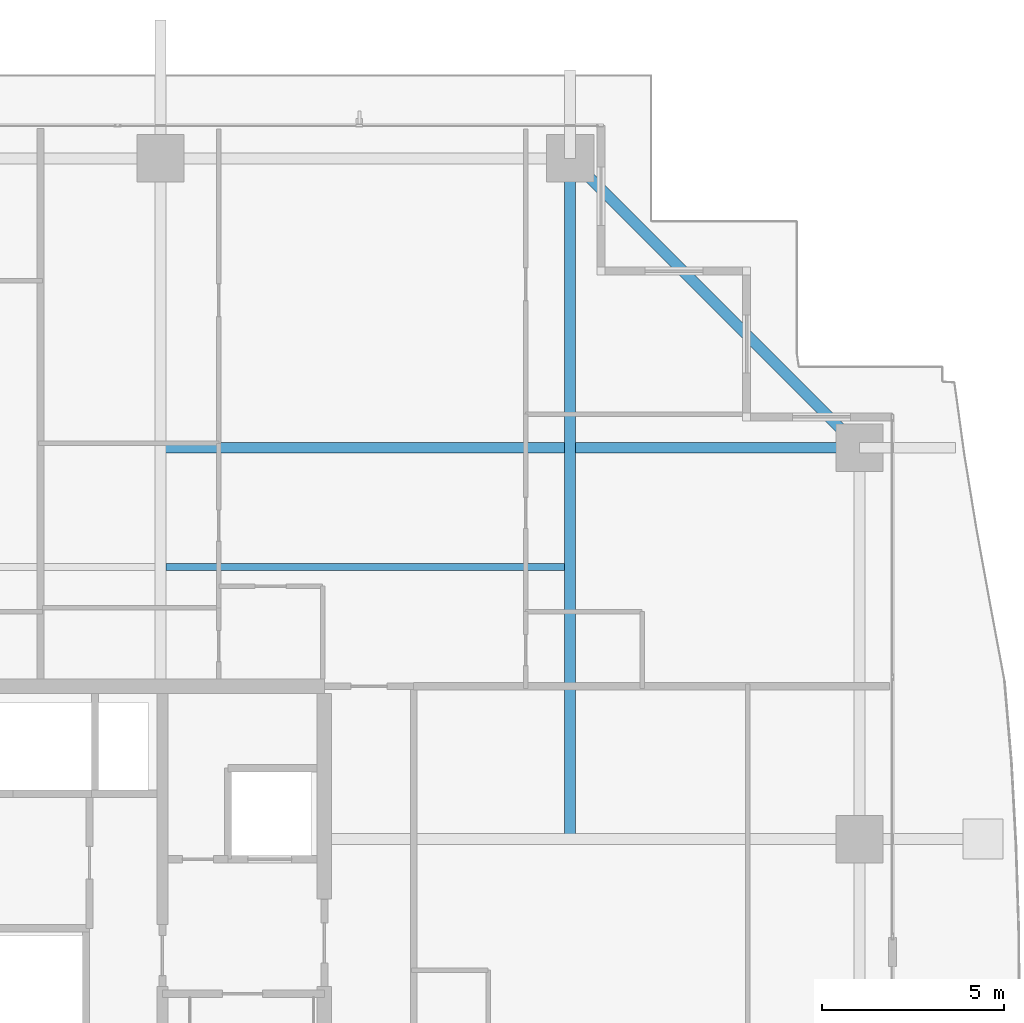
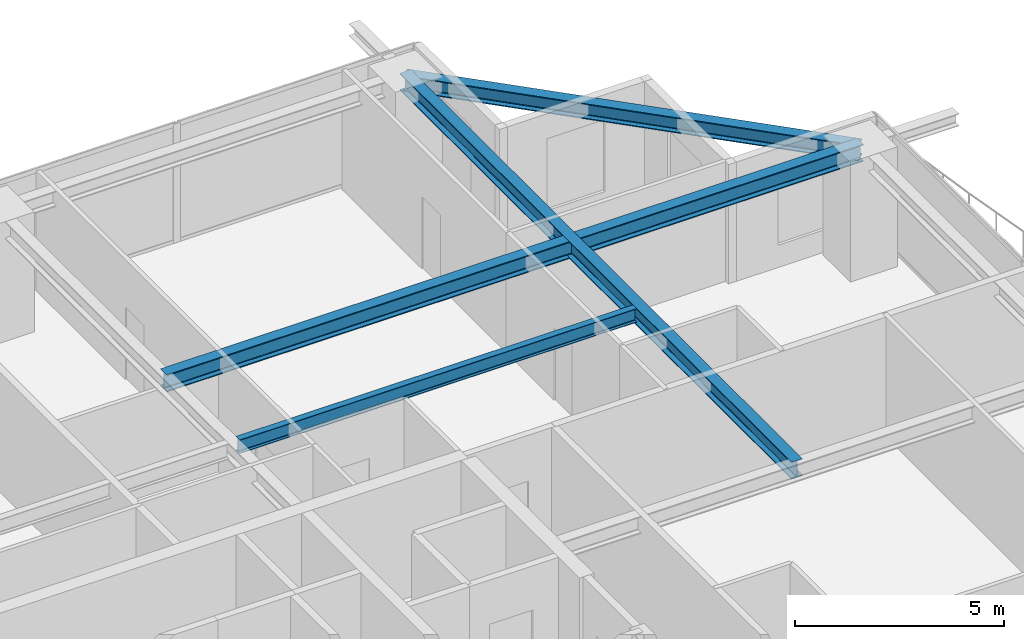
# One storey, part 22 of 36: 4 beams.
"""IFC4 building model written with IfcOpenShell, lengths in metres."""

from ifc_helpers import new_model, si_unit, direction, frame, origin, origin_2d, place, context, subcontext, project, spatial, i_section, extrude, source, transform, mapped, material, material_profile, profile_set, type_object, element, save


model = new_model("IFC4")

# Units and contexts
model_context = context("Model", 3, precision=1e-05, world=origin(), true_north=direction((0.0, 1.0)))
body_context = subcontext(model_context, "Body", "Model", "MODEL_VIEW")
ifc_project = project(units=[si_unit("LENGTHUNIT", "METRE"), si_unit("AREAUNIT", "SQUARE_METRE"), si_unit("VOLUMEUNIT", "CUBIC_METRE"), si_unit("PLANEANGLEUNIT", "RADIAN"), si_unit("MASSUNIT", "GRAM", prefix="KILO")], contexts=[model_context])

# Site, building, storey
site_placement = place(None, origin())
site = spatial("IfcSite", under=ifc_project, at=site_placement, CompositionType="ELEMENT")
building_placement = place(site_placement, origin())
building = spatial("IfcBuilding", under=site, at=building_placement, Name="Serunith Strait Residences", CompositionType="ELEMENT")
storey_placement = place(building_placement, frame((0.0, 0.0, 146.39990234375)))
storey = spatial("IfcBuildingStorey", under=building, at=storey_placement, Name="L36", CompositionType="ELEMENT", Elevation=146.39990234375)

# Beams
ifc_material = material(Name="Steel S355J2", Category="steel")
ifc_material_profile_1 = material_profile(ifc_material, i_section(OverallWidth=0.300048828125, OverallDepth=0.5, WebThickness=0.014404296875, FlangeThickness=0.028076171875, FilletRadius=0.027099609375, at=origin_2d()), Name="HEB 500")
ifc_profile_set_1 = profile_set([ifc_material_profile_1], Name="Steel S355J2")
beam_type_1 = type_object("IfcBeamType", Name="BM-HEB500", PredefinedType="BEAM", material=ifc_profile_set_1)
shared_shape_1 = source(origin(), body_context, "Body", "SweptSolid", [
    extrude(i_section(OverallWidth=0.300048828125, OverallDepth=0.5, WebThickness=0.014404296875, FlangeThickness=0.028076171875, FilletRadius=0.027099609375, at=origin_2d()), origin(), (0.0, 0.0, 1.0), 18.7001953125),
])
beam_1_placement = place(storey_placement, frame((48.14990234375, 29.39990234375, 3.237060546875), z_axis=(0.0, 1.0, 0.0), x_axis=(-1.0, 0.0, 0.0)))
element("IfcBeam", 1, at=beam_1_placement, inside=storey, type_object=beam_type_1, Name="L36 Orthogonal Corner Girder TC-N4", PredefinedType="BEAM", context=body_context, shape_type="MappedRepresentation", body=[
    mapped(shared_shape_1, transform((0.0, 0.0, 0.0), scale=1.0)),
])
shared_shape_2 = source(origin(), body_context, "Body", "SweptSolid", [
    extrude(i_section(OverallWidth=0.300048828125, OverallDepth=0.5, WebThickness=0.014404296875, FlangeThickness=0.028076171875, FilletRadius=0.027099609375, at=origin_2d()), origin(), (0.0, 0.0, 1.0), 19.2001953125),
])
beam_2_placement = place(storey_placement, frame((36.89990234375, 40.14990234375, 3.237060546875), z_axis=(1.0, 0.0, 0.0), x_axis=(0.0, 1.0, 0.0)))
element("IfcBeam", 2, at=beam_2_placement, inside=storey, type_object=beam_type_1, Name="L36 Orthogonal Corner Girder TC-E4", PredefinedType="BEAM", context=body_context, shape_type="MappedRepresentation", body=[
    mapped(shared_shape_2, transform((0.0, 0.0, 0.0), scale=1.0)),
])
ifc_material_profile_2 = material_profile(ifc_material, i_section(OverallWidth=0.300048828125, OverallDepth=0.449951171875, WebThickness=0.013916015625, FlangeThickness=0.02587890625, FilletRadius=0.027099609375, at=origin_2d()), Name="HEB 450")
ifc_profile_set_2 = profile_set([ifc_material_profile_2], Name="Steel S355J2")
beam_type_2 = type_object("IfcBeamType", Name="BM-HEB450", PredefinedType="BEAM", material=ifc_profile_set_2)
shared_shape_3 = source(origin(), body_context, "Body", "SweptSolid", [
    extrude(i_section(OverallWidth=0.300048828125, OverallDepth=0.449951171875, WebThickness=0.013916015625, FlangeThickness=0.02587890625, FilletRadius=0.027099609375, at=origin_2d()), origin(), (0.0, 0.0, 1.0), 11.2431640625),
])
beam_3_placement = place(storey_placement, frame((56.10009765625, 40.14990234375, 3.232177734375), z_axis=(-0.707106781187, 0.707106781187, 0.0), x_axis=(-0.707106781187, -0.707106781187, 0.0)))
element("IfcBeam", 3, at=beam_3_placement, inside=storey, type_object=beam_type_2, Name="L36 Perimeter Ring Beam 08", PredefinedType="BEAM", context=body_context, shape_type="MappedRepresentation", body=[
    mapped(shared_shape_3, transform((0.0, 0.0, 0.0), scale=1.0)),
])
ifc_material_profile_3 = material_profile(ifc_material, i_section(OverallWidth=0.179931640625, OverallDepth=0.39990234375, WebThickness=0.008544921875, FlangeThickness=0.013427734375, FilletRadius=0.02099609375, at=origin_2d()), Name="IPE 400")
ifc_profile_set_3 = profile_set([ifc_material_profile_3], Name="Steel S355J2")
beam_type_3 = type_object("IfcBeamType", Name="BM-IPE400", PredefinedType="JOIST", material=ifc_profile_set_3)
shared_shape_4 = source(origin(), body_context, "Body", "SweptSolid", [
    extrude(i_section(OverallWidth=0.179931640625, OverallDepth=0.39990234375, WebThickness=0.008544921875, FlangeThickness=0.013427734375, FilletRadius=0.02099609375, at=origin_2d()), origin(), (0.0, 0.0, 1.0), 10.949951171875),
])
beam_4_placement = place(storey_placement, frame((37.050048828125, 36.875, 3.287109375), z_axis=(1.0, 0.0, 0.0), x_axis=(0.0, 1.0, 0.0)))
element("IfcBeam", 4, at=beam_4_placement, inside=storey, type_object=beam_type_3, Name="L36 Composite Floor Joist 06", PredefinedType="JOIST", context=body_context, shape_type="MappedRepresentation", body=[
    mapped(shared_shape_4, transform((0.0, 0.0, 0.0), scale=1.0)),
])

save(model, "model.ifc")
